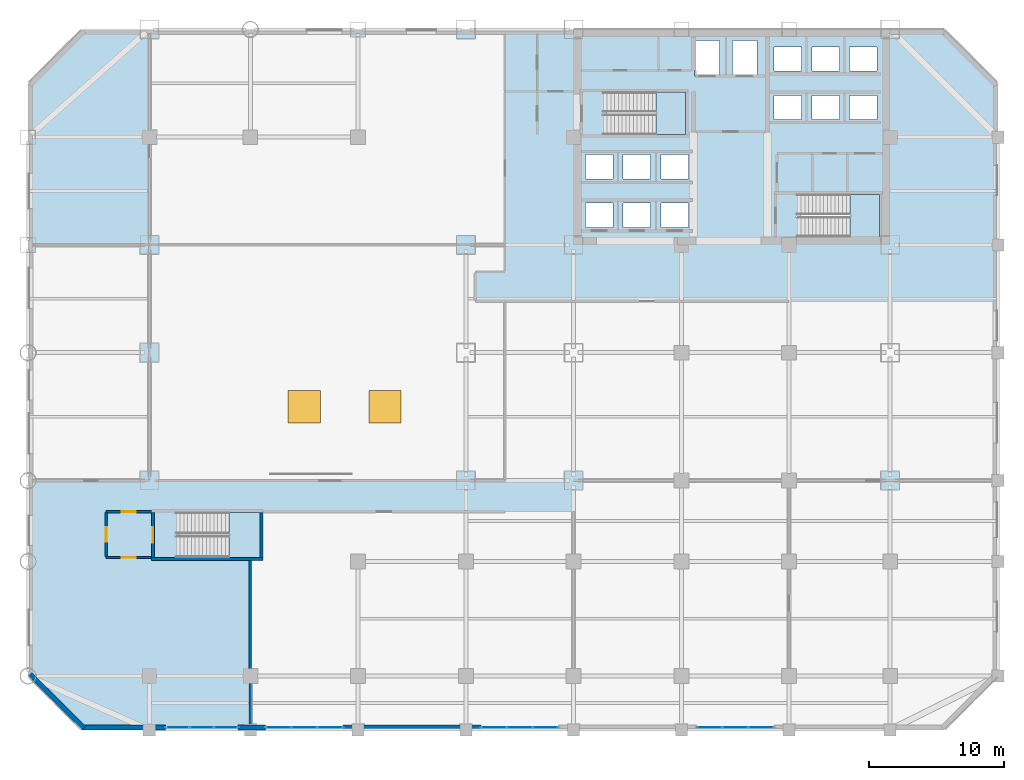
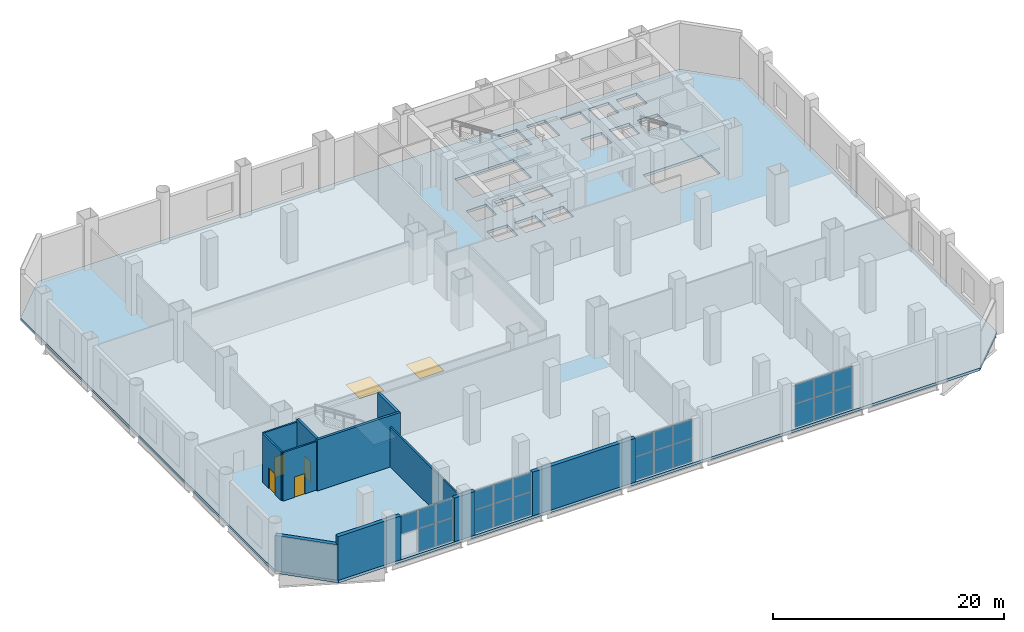
# One storey, part 10 of 18: 23 plates, 11 walls, 4 doors, 4 slabs, 2 windows, 6 openings, 7 elements without a shape of their own.
"""IFC4 building model written with IfcOpenShell, lengths in metres."""

from ifc_helpers import new_model, si_unit, direction, frame, frame_2d, origin, origin_2d, place, context, subcontext, project, spatial, polyline, rectangle, outline, extrude, material, layer, layer_set, type_object, element, fill, aggregate, save


model = new_model("IFC4")

# Units and contexts
model_context = context("Model", 3, precision=1e-05, world=origin(), true_north=direction((0.0, 1.0)))
body_context = subcontext(model_context, "Body", "Model", "MODEL_VIEW")
ifc_project = project(units=[si_unit("LENGTHUNIT", "METRE"), si_unit("AREAUNIT", "SQUARE_METRE"), si_unit("VOLUMEUNIT", "CUBIC_METRE"), si_unit("PLANEANGLEUNIT", "RADIAN"), si_unit("MASSUNIT", "GRAM", prefix="KILO")], contexts=[model_context])

# Site, building, storey
site_placement = place(None, origin())
site = spatial("IfcSite", under=ifc_project, at=site_placement, CompositionType="ELEMENT")
building_placement = place(site_placement, origin())
building = spatial("IfcBuilding", under=site, at=building_placement, Name="Qianrong Seaharbour Tower", CompositionType="ELEMENT")
storey_placement = place(building_placement, frame((0.0, 0.0, 6.0)))
storey = spatial("IfcBuildingStorey", under=building, at=storey_placement, Name="L02", CompositionType="ELEMENT", Elevation=6.0)

# Curtain wall, plates
ifc_material_1 = material(Name="Anodised aluminium 6063-T6 and laminated low-e glass", Category="aluminium")
ifc_layer_1 = layer(ifc_material_1, 0.219970703125)
ifc_layer_set_1 = layer_set([ifc_layer_1], Name="Anodised aluminium 6063-T6 and laminated low-e glass")
curtain_wall_type = type_object("IfcCurtainWallType", Name="CW-SYS-1", PredefinedType="NOTDEFINED", material=ifc_layer_set_1)
curtain_wall_1_placement = place(storey_placement, origin())
curtain_wall_1 = element("IfcCurtainWall", 1, at=curtain_wall_1_placement, inside=storey, type_object=curtain_wall_type, Name="L02 Waterfront Colonnade Curtain Wall Bay 1", PredefinedType="NOTDEFINED")
ifc_material_2 = material(Name="Laminated solar-control low-e glass", Category="glass")
ifc_layer_2 = layer(ifc_material_2, 0.031982421875)
ifc_layer_set_2 = layer_set([ifc_layer_2], Name="Laminated solar-control low-e glass")
plate_type = type_object("IfcPlateType", Name="CW-PAN-VISION-32", PredefinedType="CURTAIN_PANEL", material=ifc_layer_set_2)
plate_1_placement = place(storey_placement, frame((14.679931640625, 0.18994140625, 0.070068359375), z_axis=(0.0, 0.0, 1.0), x_axis=(-1.0, 0.0, 0.0)))
plate_1 = element("IfcPlate", 2, at=plate_1_placement, type_object=plate_type, Name="CW-1 panel 1.1", PredefinedType="CURTAIN_PANEL", context=body_context, shape_type="SweptSolid", body=[
    extrude(rectangle(XDim=1.679931640625, YDim=0.031982421875, at=origin_2d()), origin(), (0.0, 0.0, 1.0), 2.4140625),
])
plate_2_placement = place(storey_placement, frame((14.679931640625, 0.18994140625, 2.553955078125), z_axis=(0.0, 0.0, 1.0), x_axis=(-1.0, 0.0, 0.0)))
plate_2 = element("IfcPlate", 3, at=plate_2_placement, type_object=plate_type, Name="CW-1 panel 1.2", PredefinedType="CURTAIN_PANEL", context=body_context, shape_type="SweptSolid", body=[
    extrude(rectangle(XDim=1.679931640625, YDim=0.031982421875, at=origin_2d()), origin(), (0.0, 0.0, 1.0), 1.9560546875),
])
plate_3_placement = place(storey_placement, frame((12.89990234375, 0.18994140625, 0.070068359375), z_axis=(0.0, 0.0, 1.0), x_axis=(-1.0, 0.0, 0.0)))
plate_3 = element("IfcPlate", 4, at=plate_3_placement, type_object=plate_type, Name="CW-1 panel 2.1", PredefinedType="CURTAIN_PANEL", context=body_context, shape_type="SweptSolid", body=[
    extrude(rectangle(XDim=1.719970703125, YDim=0.031982421875, at=origin_2d()), origin(), (0.0, 0.0, 1.0), 2.4140625),
])
plate_4_placement = place(storey_placement, frame((12.89990234375, 0.18994140625, 2.553955078125), z_axis=(0.0, 0.0, 1.0), x_axis=(-1.0, 0.0, 0.0)))
plate_4 = element("IfcPlate", 5, at=plate_4_placement, type_object=plate_type, Name="CW-1 panel 2.2", PredefinedType="CURTAIN_PANEL", context=body_context, shape_type="SweptSolid", body=[
    extrude(rectangle(XDim=1.719970703125, YDim=0.031982421875, at=origin_2d()), origin(), (0.0, 0.0, 1.0), 1.9560546875),
])
plate_5_placement = place(storey_placement, frame((11.1201171875, 0.18994140625, 2.553955078125), z_axis=(0.0, 0.0, 1.0), x_axis=(-1.0, 0.0, 0.0)))
plate_5 = element("IfcPlate", 6, at=plate_5_placement, type_object=plate_type, Name="CW-1 panel 3.2", PredefinedType="CURTAIN_PANEL", context=body_context, shape_type="SweptSolid", body=[
    extrude(rectangle(XDim=1.679931640625, YDim=0.031982421875, at=origin_2d()), origin(), (0.0, 0.0, 1.0), 1.9560546875),
])
aggregate(curtain_wall_1, [plate_1, plate_2, plate_3, plate_4, plate_5])

curtain_wall_2_placement = place(storey_placement, origin())
curtain_wall_2 = element("IfcCurtainWall", 7, at=curtain_wall_2_placement, inside=storey, type_object=curtain_wall_type, Name="L02 Waterfront Colonnade Curtain Wall Bay 2", PredefinedType="NOTDEFINED")
plate_6_placement = place(storey_placement, frame((22.413330078125, 0.18994140625, 0.070068359375), z_axis=(0.0, 0.0, 1.0), x_axis=(-1.0, 0.0, 0.0)))
plate_6 = element("IfcPlate", 8, at=plate_6_placement, type_object=plate_type, Name="CW-1 panel 1.1", PredefinedType="CURTAIN_PANEL", context=body_context, shape_type="SweptSolid", body=[
    extrude(rectangle(XDim=1.813232421875, YDim=0.031982421875, at=origin_2d()), origin(), (0.0, 0.0, 1.0), 2.4140625),
])
plate_7_placement = place(storey_placement, frame((22.413330078125, 0.18994140625, 2.553955078125), z_axis=(0.0, 0.0, 1.0), x_axis=(-1.0, 0.0, 0.0)))
plate_7 = element("IfcPlate", 9, at=plate_7_placement, type_object=plate_type, Name="CW-1 panel 1.2", PredefinedType="CURTAIN_PANEL", context=body_context, shape_type="SweptSolid", body=[
    extrude(rectangle(XDim=1.813232421875, YDim=0.031982421875, at=origin_2d()), origin(), (0.0, 0.0, 1.0), 1.9560546875),
])
plate_8_placement = place(storey_placement, frame((20.5, 0.18994140625, 0.070068359375), z_axis=(0.0, 0.0, 1.0), x_axis=(-1.0, 0.0, 0.0)))
plate_8 = element("IfcPlate", 10, at=plate_8_placement, type_object=plate_type, Name="CW-1 panel 2.1", PredefinedType="CURTAIN_PANEL", context=body_context, shape_type="SweptSolid", body=[
    extrude(rectangle(XDim=1.853271484375, YDim=0.031982421875, at=origin_2d()), origin(), (0.0, 0.0, 1.0), 2.4140625),
])
plate_9_placement = place(storey_placement, frame((20.5, 0.18994140625, 2.553955078125), z_axis=(0.0, 0.0, 1.0), x_axis=(-1.0, 0.0, 0.0)))
plate_9 = element("IfcPlate", 11, at=plate_9_placement, type_object=plate_type, Name="CW-1 panel 2.2", PredefinedType="CURTAIN_PANEL", context=body_context, shape_type="SweptSolid", body=[
    extrude(rectangle(XDim=1.853271484375, YDim=0.031982421875, at=origin_2d()), origin(), (0.0, 0.0, 1.0), 1.9560546875),
])
plate_10_placement = place(storey_placement, frame((18.586669921875, 0.18994140625, 0.070068359375), z_axis=(0.0, 0.0, 1.0), x_axis=(-1.0, 0.0, 0.0)))
plate_10 = element("IfcPlate", 12, at=plate_10_placement, type_object=plate_type, Name="CW-1 panel 3.1", PredefinedType="CURTAIN_PANEL", context=body_context, shape_type="SweptSolid", body=[
    extrude(rectangle(XDim=1.813232421875, YDim=0.031982421875, at=origin_2d()), origin(), (0.0, 0.0, 1.0), 2.4140625),
])
plate_11_placement = place(storey_placement, frame((18.586669921875, 0.18994140625, 2.553955078125), z_axis=(0.0, 0.0, 1.0), x_axis=(-1.0, 0.0, 0.0)))
plate_11 = element("IfcPlate", 13, at=plate_11_placement, type_object=plate_type, Name="CW-1 panel 3.2", PredefinedType="CURTAIN_PANEL", context=body_context, shape_type="SweptSolid", body=[
    extrude(rectangle(XDim=1.813232421875, YDim=0.031982421875, at=origin_2d()), origin(), (0.0, 0.0, 1.0), 1.9560546875),
])
aggregate(curtain_wall_2, [plate_6, plate_7, plate_8, plate_9, plate_10, plate_11])

curtain_wall_3_placement = place(storey_placement, origin())
curtain_wall_3 = element("IfcCurtainWall", 14, at=curtain_wall_3_placement, inside=storey, type_object=curtain_wall_type, Name="L02 Waterfront Colonnade Curtain Wall Bay 3", PredefinedType="NOTDEFINED")
plate_12_placement = place(storey_placement, frame((38.413330078125, 0.18994140625, 0.070068359375), z_axis=(0.0, 0.0, 1.0), x_axis=(-1.0, 0.0, 0.0)))
plate_12 = element("IfcPlate", 15, at=plate_12_placement, type_object=plate_type, Name="CW-1 panel 1.1", PredefinedType="CURTAIN_PANEL", context=body_context, shape_type="SweptSolid", body=[
    extrude(rectangle(XDim=1.813232421875, YDim=0.031982421875, at=origin_2d()), origin(), (0.0, 0.0, 1.0), 2.4140625),
])
plate_13_placement = place(storey_placement, frame((38.413330078125, 0.18994140625, 2.553955078125), z_axis=(0.0, 0.0, 1.0), x_axis=(-1.0, 0.0, 0.0)))
plate_13 = element("IfcPlate", 16, at=plate_13_placement, type_object=plate_type, Name="CW-1 panel 1.2", PredefinedType="CURTAIN_PANEL", context=body_context, shape_type="SweptSolid", body=[
    extrude(rectangle(XDim=1.813232421875, YDim=0.031982421875, at=origin_2d()), origin(), (0.0, 0.0, 1.0), 1.9560546875),
])
plate_14_placement = place(storey_placement, frame((36.5, 0.18994140625, 0.070068359375), z_axis=(0.0, 0.0, 1.0), x_axis=(-1.0, 0.0, 0.0)))
plate_14 = element("IfcPlate", 17, at=plate_14_placement, type_object=plate_type, Name="CW-1 panel 2.1", PredefinedType="CURTAIN_PANEL", context=body_context, shape_type="SweptSolid", body=[
    extrude(rectangle(XDim=1.853271484375, YDim=0.031982421875, at=origin_2d()), origin(), (0.0, 0.0, 1.0), 2.4140625),
])
plate_15_placement = place(storey_placement, frame((36.5, 0.18994140625, 2.553955078125), z_axis=(0.0, 0.0, 1.0), x_axis=(-1.0, 0.0, 0.0)))
plate_15 = element("IfcPlate", 18, at=plate_15_placement, type_object=plate_type, Name="CW-1 panel 2.2", PredefinedType="CURTAIN_PANEL", context=body_context, shape_type="SweptSolid", body=[
    extrude(rectangle(XDim=1.853271484375, YDim=0.031982421875, at=origin_2d()), origin(), (0.0, 0.0, 1.0), 1.9560546875),
])
plate_16_placement = place(storey_placement, frame((34.586669921875, 0.18994140625, 0.070068359375), z_axis=(0.0, 0.0, 1.0), x_axis=(-1.0, 0.0, 0.0)))
plate_16 = element("IfcPlate", 19, at=plate_16_placement, type_object=plate_type, Name="CW-1 panel 3.1", PredefinedType="CURTAIN_PANEL", context=body_context, shape_type="SweptSolid", body=[
    extrude(rectangle(XDim=1.813232421875, YDim=0.031982421875, at=origin_2d()), origin(), (0.0, 0.0, 1.0), 2.4140625),
])
plate_17_placement = place(storey_placement, frame((34.586669921875, 0.18994140625, 2.553955078125), z_axis=(0.0, 0.0, 1.0), x_axis=(-1.0, 0.0, 0.0)))
plate_17 = element("IfcPlate", 20, at=plate_17_placement, type_object=plate_type, Name="CW-1 panel 3.2", PredefinedType="CURTAIN_PANEL", context=body_context, shape_type="SweptSolid", body=[
    extrude(rectangle(XDim=1.813232421875, YDim=0.031982421875, at=origin_2d()), origin(), (0.0, 0.0, 1.0), 1.9560546875),
])
aggregate(curtain_wall_3, [plate_12, plate_13, plate_14, plate_15, plate_16, plate_17])

curtain_wall_4_placement = place(storey_placement, origin())
curtain_wall_4 = element("IfcCurtainWall", 21, at=curtain_wall_4_placement, inside=storey, type_object=curtain_wall_type, Name="L02 Waterfront Colonnade Curtain Wall Bay 4", PredefinedType="NOTDEFINED")
plate_18_placement = place(storey_placement, frame((54.413330078125, 0.18994140625, 0.070068359375), z_axis=(0.0, 0.0, 1.0), x_axis=(-1.0, 0.0, 0.0)))
plate_18 = element("IfcPlate", 22, at=plate_18_placement, type_object=plate_type, Name="CW-1 panel 1.1", PredefinedType="CURTAIN_PANEL", context=body_context, shape_type="SweptSolid", body=[
    extrude(rectangle(XDim=1.813232421875, YDim=0.031982421875, at=origin_2d()), origin(), (0.0, 0.0, 1.0), 2.4140625),
])
plate_19_placement = place(storey_placement, frame((54.413330078125, 0.18994140625, 2.553955078125), z_axis=(0.0, 0.0, 1.0), x_axis=(-1.0, 0.0, 0.0)))
plate_19 = element("IfcPlate", 23, at=plate_19_placement, type_object=plate_type, Name="CW-1 panel 1.2", PredefinedType="CURTAIN_PANEL", context=body_context, shape_type="SweptSolid", body=[
    extrude(rectangle(XDim=1.813232421875, YDim=0.031982421875, at=origin_2d()), origin(), (0.0, 0.0, 1.0), 1.9560546875),
])
plate_20_placement = place(storey_placement, frame((52.5, 0.18994140625, 0.070068359375), z_axis=(0.0, 0.0, 1.0), x_axis=(-1.0, 0.0, 0.0)))
plate_20 = element("IfcPlate", 24, at=plate_20_placement, type_object=plate_type, Name="CW-1 panel 2.1", PredefinedType="CURTAIN_PANEL", context=body_context, shape_type="SweptSolid", body=[
    extrude(rectangle(XDim=1.853271484375, YDim=0.031982421875, at=origin_2d()), origin(), (0.0, 0.0, 1.0), 2.4140625),
])
plate_21_placement = place(storey_placement, frame((52.5, 0.18994140625, 2.553955078125), z_axis=(0.0, 0.0, 1.0), x_axis=(-1.0, 0.0, 0.0)))
plate_21 = element("IfcPlate", 25, at=plate_21_placement, type_object=plate_type, Name="CW-1 panel 2.2", PredefinedType="CURTAIN_PANEL", context=body_context, shape_type="SweptSolid", body=[
    extrude(rectangle(XDim=1.853271484375, YDim=0.031982421875, at=origin_2d()), origin(), (0.0, 0.0, 1.0), 1.9560546875),
])
plate_22_placement = place(storey_placement, frame((50.586669921875, 0.18994140625, 0.070068359375), z_axis=(0.0, 0.0, 1.0), x_axis=(-1.0, 0.0, 0.0)))
plate_22 = element("IfcPlate", 26, at=plate_22_placement, type_object=plate_type, Name="CW-1 panel 3.1", PredefinedType="CURTAIN_PANEL", context=body_context, shape_type="SweptSolid", body=[
    extrude(rectangle(XDim=1.813232421875, YDim=0.031982421875, at=origin_2d()), origin(), (0.0, 0.0, 1.0), 2.4140625),
])
plate_23_placement = place(storey_placement, frame((50.586669921875, 0.18994140625, 2.553955078125), z_axis=(0.0, 0.0, 1.0), x_axis=(-1.0, 0.0, 0.0)))
plate_23 = element("IfcPlate", 27, at=plate_23_placement, type_object=plate_type, Name="CW-1 panel 3.2", PredefinedType="CURTAIN_PANEL", context=body_context, shape_type="SweptSolid", body=[
    extrude(rectangle(XDim=1.813232421875, YDim=0.031982421875, at=origin_2d()), origin(), (0.0, 0.0, 1.0), 1.9560546875),
])
aggregate(curtain_wall_4, [plate_18, plate_19, plate_20, plate_21, plate_22, plate_23])

# Slab, openings, windows
ifc_material_3 = material(Name="Concrete C50/60", Category="concrete")
ifc_layer_3 = layer(ifc_material_3, 0.280029296875)
ifc_layer_set_3 = layer_set([ifc_layer_3], Name="Concrete C50/60")
slab_type_1 = type_object("IfcSlabType", Name="SLAB-POD-280", PredefinedType="FLOOR", material=ifc_layer_set_3)
slab_1_placement = place(storey_placement, frame((0.0, 0.0, -0.280029296875)))
slab_1 = element("IfcSlab", 28, at=slab_1_placement, inside=storey, type_object=slab_type_1, Name="L02 Structural Floor Slab", PredefinedType="FLOOR", context=body_context, shape_type="SweptSolid", body=[
    extrude(outline(polyline([(4.0, 0.0), (68.0, 0.0), (72.0, 4.0), (72.0, 48.0), (68.0, 52.0), (4.0, 52.0), (0.0, 48.0), (0.0, 4.0), (4.0, 0.0)]), holes=[polyline([(42.93994140625, 44.199951171875), (42.93994140625, 47.35009765625), (48.800048828125, 47.35009765625), (48.800048828125, 44.199951171875), (42.93994140625, 44.199951171875)]), polyline([(57.340087890625, 36.60009765625), (57.340087890625, 39.75), (63.199951171875, 39.75), (63.199951171875, 36.60009765625), (57.340087890625, 36.60009765625)]), polyline([(11.239990234375, 12.800048828125), (11.239990234375, 16.14990234375), (17.199951171875, 16.14990234375), (17.199951171875, 12.800048828125), (11.239990234375, 12.800048828125)]), polyline([(49.47998046875, 48.530029296875), (49.47998046875, 51.169921875), (51.320068359375, 51.169921875), (51.320068359375, 48.530029296875), (49.47998046875, 48.530029296875)]), polyline([(52.280029296875, 48.530029296875), (52.280029296875, 51.169921875), (54.1201171875, 51.169921875), (54.1201171875, 48.530029296875), (52.280029296875, 48.530029296875)]), polyline([(41.3798828125, 37.300048828125), (41.3798828125, 39.10009765625), (43.419921875, 39.10009765625), (43.419921875, 37.300048828125), (41.3798828125, 37.300048828125)]), polyline([(44.179931640625, 37.300048828125), (44.179931640625, 39.10009765625), (46.219970703125, 39.10009765625), (46.219970703125, 37.300048828125), (44.179931640625, 37.300048828125)]), polyline([(46.97998046875, 37.300048828125), (46.97998046875, 39.10009765625), (49.02001953125, 39.10009765625), (49.02001953125, 37.300048828125), (46.97998046875, 37.300048828125)]), polyline([(41.3798828125, 40.89990234375), (41.3798828125, 42.699951171875), (43.419921875, 42.699951171875), (43.419921875, 40.89990234375), (41.3798828125, 40.89990234375)]), polyline([(44.179931640625, 40.89990234375), (44.179931640625, 42.699951171875), (46.219970703125, 42.699951171875), (46.219970703125, 40.89990234375), (44.179931640625, 40.89990234375)]), polyline([(46.97998046875, 40.89990234375), (46.97998046875, 42.699951171875), (49.02001953125, 42.699951171875), (49.02001953125, 40.89990234375), (46.97998046875, 40.89990234375)]), polyline([(55.3798828125, 45.300048828125), (55.3798828125, 47.10009765625), (57.419921875, 47.10009765625), (57.419921875, 45.300048828125), (55.3798828125, 45.300048828125)]), polyline([(58.179931640625, 45.300048828125), (58.179931640625, 47.10009765625), (60.219970703125, 47.10009765625), (60.219970703125, 45.300048828125), (58.179931640625, 45.300048828125)]), polyline([(60.97998046875, 45.300048828125), (60.97998046875, 47.10009765625), (63.02001953125, 47.10009765625), (63.02001953125, 45.300048828125), (60.97998046875, 45.300048828125)]), polyline([(55.3798828125, 48.89990234375), (55.3798828125, 50.699951171875), (57.419921875, 50.699951171875), (57.419921875, 48.89990234375), (55.3798828125, 48.89990234375)]), polyline([(58.179931640625, 48.89990234375), (58.179931640625, 50.699951171875), (60.219970703125, 50.699951171875), (60.219970703125, 48.89990234375), (58.179931640625, 48.89990234375)]), polyline([(60.97998046875, 48.89990234375), (60.97998046875, 50.699951171875), (63.02001953125, 50.699951171875), (63.02001953125, 48.89990234375), (60.97998046875, 48.89990234375)])]), origin(), (0.0, 0.0, 1.0), 0.280029296875),
])
opening_1_placement = place(slab_1_placement, frame((20.5, 24.0, -0.010009765625)))
opening_1 = element("IfcOpeningElement", 29, at=opening_1_placement, cuts=slab_1, Name="Opening SK-02", PredefinedType="OPENING", context=body_context, shape_type="SweptSolid", body=[
    extrude(rectangle(XDim=2.39990234375, YDim=2.39990234375, at=origin_2d()), origin(), (0.0, 0.0, 1.0), 0.300048828125),
])
opening_2_placement = place(slab_1_placement, frame((26.5, 24.0, -0.010009765625)))
opening_2 = element("IfcOpeningElement", 30, at=opening_2_placement, cuts=slab_1, Name="Opening SK-02", PredefinedType="OPENING", context=body_context, shape_type="SweptSolid", body=[
    extrude(rectangle(XDim=2.39990234375, YDim=2.39990234375, at=origin_2d()), origin(), (0.0, 0.0, 1.0), 0.300048828125),
])
ifc_material_4 = material(Name="Insulated low-e double glazing in thermally broken aluminium 6063-T6 frame", Category="aluminium")
window_type = type_object("IfcWindowType", Name="WIN-SKY-2400x2400", PartitioningType="DOUBLE_PANEL_HORIZONTAL", PredefinedType="SKYLIGHT", material=ifc_material_4)
window_1_placement = place(slab_1_placement, frame((20.5, 24.0, 0.22998046875)))
window_1 = element("IfcWindow", 31, at=window_1_placement, inside=storey, type_object=window_type, Name="L02 Insulated Glass Skylight SK-01", OverallHeight=2.39990234375, OverallWidth=2.39990234375, PartitioningType="DOUBLE_PANEL_HORIZONTAL", PredefinedType="SKYLIGHT", context=body_context, shape_type="SweptSolid", body=[
    extrude(rectangle(XDim=2.39990234375, YDim=2.39990234375, at=origin_2d()), origin(), (0.0, 0.0, 1.0), 0.050048828125),
])
fill(opening_1, window_1)
window_2_placement = place(slab_1_placement, frame((26.5, 24.0, 0.22998046875)))
window_2 = element("IfcWindow", 32, at=window_2_placement, inside=storey, type_object=window_type, Name="L02 Insulated Glass Skylight SK-02", OverallHeight=2.39990234375, OverallWidth=2.39990234375, PartitioningType="DOUBLE_PANEL_HORIZONTAL", PredefinedType="SKYLIGHT", context=body_context, shape_type="SweptSolid", body=[
    extrude(rectangle(XDim=2.39990234375, YDim=2.39990234375, at=origin_2d()), origin(), (0.0, 0.0, 1.0), 0.050048828125),
])
fill(opening_2, window_2)

# Stair, slab
stair_type_1 = type_object("IfcStairType", Name="STAIR-DOGLEG-1500-R30", PredefinedType="HALF_TURN_STAIR", material=ifc_material_3)
stair_1_placement = place(storey_placement, origin())
stair_1 = element("IfcStair", 33, at=stair_1_placement, inside=storey, type_object=stair_type_1, Name="L02 Protected Escape Stair ST-1", PredefinedType="HALF_TURN_STAIR")
ifc_layer_4 = layer(ifc_material_3, 0.199951171875)
ifc_layer_set_4 = layer_set([ifc_layer_4], Name="Concrete C50/60")
slab_type_2 = type_object("IfcSlabType", Name="SLAB-STAIR-LANDING-200", PredefinedType="LANDING", material=ifc_layer_set_4)
slab_2_placement = place(storey_placement, frame((0.0, 0.0, 2.5)))
slab_2 = element("IfcSlab", 34, at=slab_2_placement, type_object=slab_type_2, Name="ST-1 landing 1", PredefinedType="LANDING", context=body_context, shape_type="SweptSolid", body=[
    extrude(outline(polyline([(46.6201171875, 44.199951171875), (48.800048828125, 44.199951171875), (48.800048828125, 47.35009765625), (46.6201171875, 47.35009765625), (46.6201171875, 44.199951171875)])), origin(), (0.0, 0.0, 1.0), 0.199951171875),
])
aggregate(stair_1, [slab_2])

stair_2_placement = place(storey_placement, origin())
stair_2 = element("IfcStair", 35, at=stair_2_placement, inside=storey, type_object=stair_type_1, Name="L02 Protected Escape Stair ST-2", PredefinedType="HALF_TURN_STAIR")
slab_3_placement = place(storey_placement, frame((0.0, 0.0, 2.5)))
slab_3 = element("IfcSlab", 36, at=slab_3_placement, type_object=slab_type_2, Name="ST-2 landing 1", PredefinedType="LANDING", context=body_context, shape_type="SweptSolid", body=[
    extrude(outline(polyline([(61.02001953125, 36.60009765625), (63.199951171875, 36.60009765625), (63.199951171875, 39.75), (61.02001953125, 39.75), (61.02001953125, 36.60009765625)])), origin(), (0.0, 0.0, 1.0), 0.199951171875),
])
aggregate(stair_2, [slab_3])

stair_type_2 = type_object("IfcStairType", Name="STAIR-DOGLEG-1600-R30", PredefinedType="HALF_TURN_STAIR", material=ifc_material_3)
stair_3_placement = place(storey_placement, origin())
stair_3 = element("IfcStair", 37, at=stair_3_placement, inside=storey, type_object=stair_type_2, Name="L02 Protected Escape Stair PST-3", PredefinedType="HALF_TURN_STAIR")
slab_4_placement = place(storey_placement, frame((0.0, 0.0, 2.5)))
slab_4 = element("IfcSlab", 38, at=slab_4_placement, type_object=slab_type_2, Name="PST-3 landing 1", PredefinedType="LANDING", context=body_context, shape_type="SweptSolid", body=[
    extrude(outline(polyline([(14.919921875, 12.800048828125), (17.199951171875, 12.800048828125), (17.199951171875, 16.14990234375), (14.919921875, 16.14990234375), (14.919921875, 12.800048828125)])), origin(), (0.0, 0.0, 1.0), 0.199951171875),
])
aggregate(stair_3, [slab_4])

# Wall, opening, door
ifc_material_5 = material(Name="Fire-rated acoustic gypsum board partition")
ifc_layer_5 = layer(ifc_material_5, 0.1650390625)
ifc_layer_set_5 = layer_set([ifc_layer_5], Name="Fire-rated acoustic gypsum board partition")
wall_type_1 = type_object("IfcWallType", Name="WALL-CORR-PART-165", PredefinedType="PARTITIONING", material=ifc_layer_set_5)
wall_1_placement = place(storey_placement, frame((9.159912109375, 12.800048828125, 0.0), z_axis=(0.0, 0.0, 1.0), x_axis=(-1.0, 0.0, 0.0)))
wall_1 = element("IfcWall", 39, at=wall_1_placement, inside=storey, type_object=wall_type_1, Name="L02 Interior Partition Wall 016", PredefinedType="PARTITIONING", context=body_context, shape_type="SweptSolid", body=[
    extrude(rectangle(XDim=3.35986328125, YDim=0.1650390625, at=frame_2d((1.679931640625, 0.0))), origin(), (0.0, 0.0, 1.0), 5.1201171875),
])
opening_3_placement = place(wall_1_placement, frame((1.155029296875, 0.0, 0.0)))
opening_3 = element("IfcOpeningElement", 40, at=opening_3_placement, cuts=wall_1, Name="Opening DC-01", PredefinedType="OPENING", context=body_context, shape_type="SweptSolid", body=[
    extrude(rectangle(XDim=1.050048828125, YDim=2.14990234375, at=frame_2d((0.52490234375, 1.074951171875))), frame((0.0, 0.092529296875, 0.0), z_axis=(0.0, -1.0, 0.0), x_axis=(1.0, 0.0, 0.0)), (0.0, 0.0, 1.0), 0.18505859375),
])
ifc_material_6 = material(Name="Acoustic timber and galvanized steel fire door assembly", Category="steel")
door_type_1 = type_object("IfcDoorType", Name="DOOR-CORR-FD60-1050x2150", OperationType="NOTDEFINED", PredefinedType="DOOR", material=ifc_material_6)
door_1_placement = place(opening_3_placement, origin())
door_1 = element("IfcDoor", 41, at=door_1_placement, inside=storey, type_object=door_type_1, Name="L02 Podium Stair Vestibule PST-3 Door", OperationType="SINGLE_SWING_RIGHT", OverallHeight=2.14990234375, OverallWidth=1.050048828125, PredefinedType="DOOR", context=body_context, shape_type="SweptSolid", body=[
    extrude(rectangle(XDim=1.050048828125, YDim=2.14990234375, at=frame_2d((0.52490234375, 1.074951171875))), frame((0.0, 0.02490234375, 0.0), z_axis=(0.0, -1.0, 0.0), x_axis=(1.0, 0.0, 0.0)), (0.0, 0.0, 1.0), 0.050048828125),
])
fill(opening_3, door_1)

wall_2_placement = place(storey_placement, frame((5.800048828125, 12.87451171875, 0.0), z_axis=(0.0, 0.0, 1.0), x_axis=(0.0, 1.0, 0.0)))
wall_2 = element("IfcWall", 42, at=wall_2_placement, inside=storey, type_object=wall_type_1, Name="L02 Interior Partition Wall 017", PredefinedType="PARTITIONING", context=body_context, shape_type="SweptSolid", body=[
    extrude(rectangle(XDim=3.2509765625, YDim=0.1650390625, at=frame_2d((1.62548828125, 0.0))), origin(), (0.0, 0.0, 1.0), 5.1201171875),
])
opening_4_placement = place(wall_2_placement, frame((1.1005859375, 0.0, 0.0)))
opening_4 = element("IfcOpeningElement", 43, at=opening_4_placement, cuts=wall_2, Name="Opening DC-01", PredefinedType="OPENING", context=body_context, shape_type="SweptSolid", body=[
    extrude(rectangle(XDim=1.050048828125, YDim=2.14990234375, at=frame_2d((0.52490234375, 1.074951171875))), frame((0.0, 0.092529296875, 0.0), z_axis=(0.0, -1.0, 0.0), x_axis=(1.0, 0.0, 0.0)), (0.0, 0.0, 1.0), 0.18505859375),
])
door_2_placement = place(opening_4_placement, origin())
door_2 = element("IfcDoor", 44, at=door_2_placement, inside=storey, type_object=door_type_1, Name="L02 Podium Stair Vestibule PST-3 Door", OperationType="SINGLE_SWING_RIGHT", OverallHeight=2.14990234375, OverallWidth=1.050048828125, PredefinedType="DOOR", context=body_context, shape_type="SweptSolid", body=[
    extrude(rectangle(XDim=1.050048828125, YDim=2.14990234375, at=frame_2d((0.52490234375, 1.074951171875))), frame((0.0, 0.02490234375, 0.0), z_axis=(0.0, -1.0, 0.0), x_axis=(1.0, 0.0, 0.0)), (0.0, 0.0, 1.0), 0.050048828125),
])
fill(opening_4, door_2)

wall_3_placement = place(storey_placement, frame((5.800048828125, 16.199951171875, 0.0), z_axis=(0.0, 0.0, 1.0), x_axis=(1.0, 0.0, 0.0)))
wall_3 = element("IfcWall", 45, at=wall_3_placement, inside=storey, type_object=wall_type_1, Name="L02 Interior Partition Wall 018", PredefinedType="PARTITIONING", context=body_context, shape_type="SweptSolid", body=[
    extrude(rectangle(XDim=3.35986328125, YDim=0.1650390625, at=frame_2d((1.679931640625, 0.0))), origin(), (0.0, 0.0, 1.0), 5.1201171875),
])
opening_5_placement = place(wall_3_placement, frame((1.155029296875, 0.0, 0.0)))
opening_5 = element("IfcOpeningElement", 46, at=opening_5_placement, cuts=wall_3, Name="Opening DC-01", PredefinedType="OPENING", context=body_context, shape_type="SweptSolid", body=[
    extrude(rectangle(XDim=1.050048828125, YDim=2.14990234375, at=frame_2d((0.52490234375, 1.074951171875))), frame((0.0, 0.092529296875, 0.0), z_axis=(0.0, -1.0, 0.0), x_axis=(1.0, 0.0, 0.0)), (0.0, 0.0, 1.0), 0.18505859375),
])
door_3_placement = place(opening_5_placement, origin())
door_3 = element("IfcDoor", 47, at=door_3_placement, inside=storey, type_object=door_type_1, Name="L02 Podium Stair Vestibule PST-3 Door", OperationType="SINGLE_SWING_LEFT", OverallHeight=2.14990234375, OverallWidth=1.050048828125, PredefinedType="DOOR", context=body_context, shape_type="SweptSolid", body=[
    extrude(rectangle(XDim=1.050048828125, YDim=2.14990234375, at=frame_2d((0.52490234375, 1.074951171875))), frame((0.0, 0.02490234375, 0.0), z_axis=(0.0, -1.0, 0.0), x_axis=(1.0, 0.0, 0.0)), (0.0, 0.0, 1.0), 0.050048828125),
])
fill(opening_5, door_3)

# Walls
wall_4_placement = place(storey_placement, frame((16.5, 0.3720703125, 0.0), z_axis=(0.0, 0.0, 1.0), x_axis=(0.0, 1.0, 0.0)))
element("IfcWall", 48, at=wall_4_placement, inside=storey, type_object=wall_type_1, Name="L02 Interior Partition Wall 036", PredefinedType="PARTITIONING", context=body_context, shape_type="SweptSolid", body=[
    extrude(rectangle(XDim=12.196044921875, YDim=0.1650390625, at=frame_2d((6.09814453125, 0.0))), origin(), (0.0, 0.0, 1.0), 4.2119140625),
])
ifc_material_7 = material(Name="Natural honed granite dimension stone", Category="masonry")
ifc_layer_6 = layer(ifc_material_7, 0.3798828125)
ifc_layer_set_6 = layer_set([ifc_layer_6], Name="Natural honed granite dimension stone")
wall_type_2 = type_object("IfcWallType", Name="WALL-EXT-GRANITE-380", PredefinedType="SOLIDWALL", material=ifc_layer_set_6)
wall_5_placement = place(storey_placement, frame((10.219970703125, 0.18994140625, 0.0), z_axis=(0.0, 0.0, 1.0), x_axis=(-1.0, 0.0, 0.0)))
element("IfcWall", 49, at=wall_5_placement, inside=storey, type_object=wall_type_2, Name="L02 Waterfront Podium Masonry Facade Pier 1", PredefinedType="SOLIDWALL", context=body_context, shape_type="SweptSolid", body=[
    extrude(rectangle(XDim=6.27001953125, YDim=0.3798828125, at=frame_2d((3.135009765625, 0.0))), origin(), (0.0, 0.0, 1.0), 4.6201171875),
])
wall_6_placement = place(storey_placement, frame((17.6201171875, 0.18994140625, 0.0), z_axis=(0.0, 0.0, 1.0), x_axis=(-1.0, 0.0, 0.0)))
element("IfcWall", 50, at=wall_6_placement, inside=storey, type_object=wall_type_2, Name="L02 Waterfront Podium Masonry Facade Pier 2", PredefinedType="SOLIDWALL", context=body_context, shape_type="SweptSolid", body=[
    extrude(rectangle(XDim=2.0400390625, YDim=0.3798828125, at=frame_2d((1.02001953125, 0.0))), origin(), (0.0, 0.0, 1.0), 4.6201171875),
])
wall_7_placement = place(storey_placement, frame((33.6201171875, 0.18994140625, 0.0), z_axis=(0.0, 0.0, 1.0), x_axis=(-1.0, 0.0, 0.0)))
element("IfcWall", 51, at=wall_7_placement, inside=storey, type_object=wall_type_2, Name="L02 Waterfront Podium Masonry Facade Pier 3", PredefinedType="SOLIDWALL", context=body_context, shape_type="SweptSolid", body=[
    extrude(rectangle(XDim=10.240234375, YDim=0.3798828125, at=frame_2d((5.1201171875, 0.0))), origin(), (0.0, 0.0, 1.0), 4.6201171875),
])
wall_8_placement = place(storey_placement, frame((4.13427734375, 0.13427734375, 0.0), z_axis=(0.0, 0.0, 1.0), x_axis=(-0.707106781187, 0.707106781187, 0.0)))
element("IfcWall", 52, at=wall_8_placement, inside=storey, type_object=wall_type_2, Name="L02 Exterior Masonry Facade Wall E07", PredefinedType="SOLIDWALL", context=body_context, shape_type="SweptSolid", body=[
    extrude(rectangle(XDim=5.65673828125, YDim=0.3798828125, at=frame_2d((2.828369140625, 0.0))), origin(), (0.0, 0.0, 1.0), 3.719970703125),
])
ifc_layer_7 = layer(ifc_material_3, 0.239990234375)
ifc_layer_set_7 = layer_set([ifc_layer_7], Name="Concrete C50/60")
wall_type_3 = type_object("IfcWallType", Name="WALL-SHAFT-RC240", PredefinedType="SOLIDWALL", material=ifc_layer_set_7)
wall_9_placement = place(storey_placement, frame((17.43994140625, 12.679931640625, 0.0), z_axis=(0.0, 0.0, 1.0), x_axis=(-1.0, 0.0, 0.0)))
element("IfcWall", 53, at=wall_9_placement, inside=storey, type_object=wall_type_3, Name="L02 PST-3 Structural Stair Core Wall S", PredefinedType="SOLIDWALL", context=body_context, shape_type="SweptSolid", body=[
    extrude(rectangle(XDim=8.280029296875, YDim=0.239990234375, at=frame_2d((4.14013671875, 0.0))), origin(), (0.0, 0.0, 1.0), 5.39990234375),
])

# Wall, opening, door
wall_10_placement = place(storey_placement, frame((9.280029296875, 16.14990234375, 0.0), z_axis=(0.0, 0.0, 1.0), x_axis=(0.0, -1.0, 0.0)))
wall_10 = element("IfcWall", 54, at=wall_10_placement, inside=storey, type_object=wall_type_3, Name="L02 PST-3 Structural Stair Core Wall W", PredefinedType="SOLIDWALL", context=body_context, shape_type="SweptSolid", body=[
    extrude(rectangle(XDim=3.349853515625, YDim=0.239990234375, at=frame_2d((1.6748046875, 0.0))), origin(), (0.0, 0.0, 1.0), 5.39990234375),
])
opening_6_placement = place(wall_10_placement, frame((1.10009765625, 0.0, 0.0)))
opening_6 = element("IfcOpeningElement", 55, at=opening_6_placement, cuts=wall_10, Name="Opening SD-01", PredefinedType="OPENING", context=body_context, shape_type="SweptSolid", body=[
    extrude(rectangle(XDim=1.14990234375, YDim=2.199951171875, at=frame_2d((0.574951171875, 1.10009765625))), frame((0.0, 0.1298828125, 0.0), z_axis=(0.0, -1.0, 0.0), x_axis=(1.0, 0.0, 0.0)), (0.0, 0.0, 1.0), 0.260009765625),
])
door_type_2 = type_object("IfcDoorType", Name="DOOR-STAIR-FD60-1150x2200", OperationType="NOTDEFINED", PredefinedType="DOOR", material=ifc_material_6)
door_4_placement = place(opening_6_placement, origin())
door_4 = element("IfcDoor", 56, at=door_4_placement, inside=storey, type_object=door_type_2, Name="L02 PST-3 Protected Stair Door", OperationType="SINGLE_SWING_LEFT", OverallHeight=2.199951171875, OverallWidth=1.14990234375, PredefinedType="DOOR", context=body_context, shape_type="SweptSolid", body=[
    extrude(rectangle(XDim=1.14990234375, YDim=2.199951171875, at=frame_2d((0.574951171875, 1.10009765625))), frame((0.0, 0.02490234375, 0.0), z_axis=(0.0, -1.0, 0.0), x_axis=(1.0, 0.0, 0.0)), (0.0, 0.0, 1.0), 0.050048828125),
])
fill(opening_6, door_4)

# Wall
wall_11_placement = place(storey_placement, frame((17.320068359375, 12.800048828125, 0.0), z_axis=(0.0, 0.0, 1.0), x_axis=(0.0, 1.0, 0.0)))
element("IfcWall", 57, at=wall_11_placement, inside=storey, type_object=wall_type_3, Name="L02 PST-3 Structural Stair Core Wall E", PredefinedType="SOLIDWALL", context=body_context, shape_type="SweptSolid", body=[
    extrude(rectangle(XDim=3.349853515625, YDim=0.239990234375, at=frame_2d((1.6748046875, 0.0))), origin(), (0.0, 0.0, 1.0), 5.39990234375),
])

save(model, "model.ifc")
